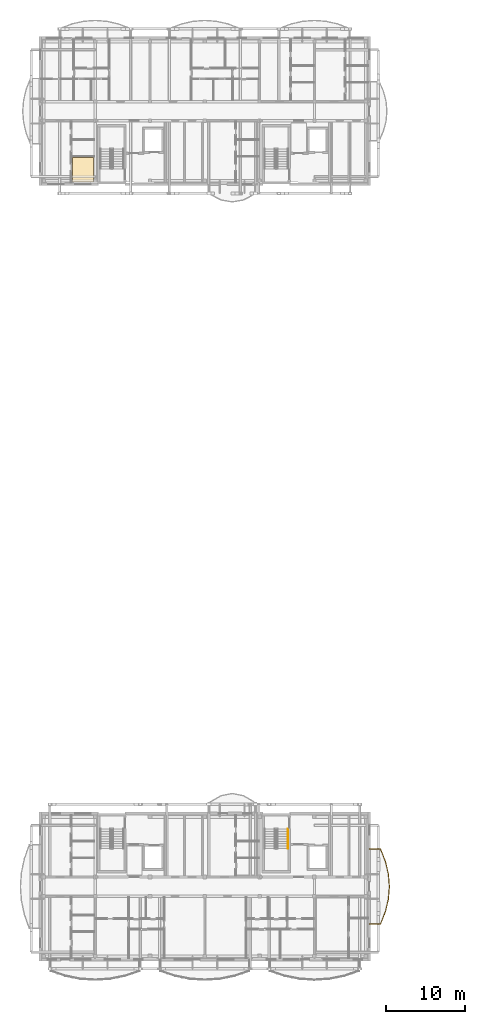
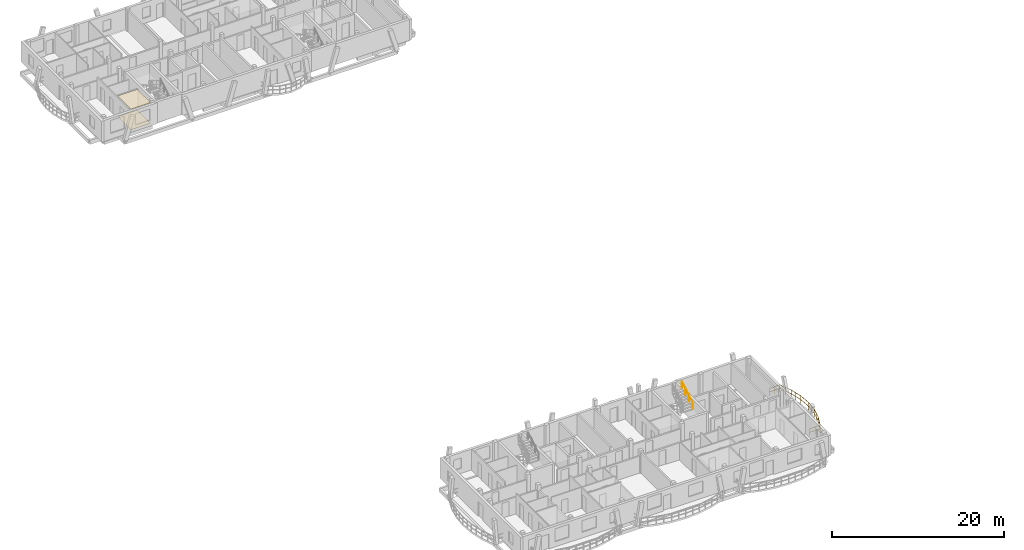
# One storey, part 25 of 29: 2 coverings, 2 railings.
"""IFC4 building model written with IfcOpenShell, lengths in metres."""

import ifcopenshell
import ifcopenshell.guid

model = None  # the IFC model being written
_history = None  # IfcOwnerHistory: only IFC2X3 demands one
_inside = {}  # id of a spatial element -> (the spatial element, [elements in it])
_under = {}  # id of a project, library or spatial element -> (it, [spatial elements below it])
_declared = {}  # id of a project -> (the project, [libraries it declares])
_typed = {}  # id of a type object -> (the type object, [elements of that type])
_made_of = {}  # id of a material, layer set ... -> (it, [elements and type objects made of it])


def new_model(schema):
    """Start an empty IFC model of exactly this schema.

    Asked for "IFC4X3", IfcOpenShell would pick the latest addendum, in which some entities
    have other attributes; the version numbers below select the first issue.
    IFC2X3 requires an IfcOwnerHistory on every rooted entity: one is made here for all.
    """
    global model, _history
    if schema == "IFC4X3":
        model = ifcopenshell.file(schema_version=(4, 3, 0, 0))
    else:
        model = ifcopenshell.file(schema=schema)
    _inside.clear()
    _under.clear()
    _declared.clear()
    _typed.clear()
    _made_of.clear()
    _history = None
    if model.schema == "IFC2X3":
        org = make("IfcOrganization", Name="unknown")
        user = make(
            "IfcPersonAndOrganization",
            ThePerson=make("IfcPerson", FamilyName="unknown"),
            TheOrganization=org,
        )
        app = make(
            "IfcApplication",
            ApplicationDeveloper=org,
            Version="unknown",
            ApplicationFullName="unknown",
            ApplicationIdentifier="unknown",
        )
        _history = make(
            "IfcOwnerHistory",
            OwningUser=user,
            OwningApplication=app,
            ChangeAction="ADDED",
            CreationDate=0,
        )
    return model


def make(cls, **values):
    """One entity of the class cls with the attributes given. An attribute that is None is left unset."""
    return model.create_entity(
        cls, **{name: value for name, value in values.items() if value is not None}
    )


def rooted(cls, **values):
    """An entity with a GlobalId (a new one), such as an element, a storey or a relation."""
    return make(cls, GlobalId=ifcopenshell.guid.new(), OwnerHistory=_history, **values)


def si_unit(unit_type, name, prefix=None):
    """IfcSIUnit, for example si_unit("LENGTHUNIT", "METRE", prefix="MILLI")."""
    return make("IfcSIUnit", UnitType=unit_type, Prefix=prefix, Name=name)


def assignment(units):
    """IfcUnitAssignment: the units of a project."""
    return None if units is None else make("IfcUnitAssignment", Units=units)


def point(xyz):
    """IfcCartesianPoint."""
    return None if xyz is None else make("IfcCartesianPoint", Coordinates=xyz)


def direction(xyz):
    """IfcDirection."""
    return None if xyz is None else make("IfcDirection", DirectionRatios=xyz)


def frame(location, z_axis=None, x_axis=None):
    """IfcAxis2Placement3D, a coordinate frame: its origin and axes. An axis left out is left unset."""
    return make(
        "IfcAxis2Placement3D",
        Location=point(location),
        Axis=direction(z_axis),
        RefDirection=direction(x_axis),
    )


def frame_2d(location, x_axis=None):
    """IfcAxis2Placement2D, a coordinate frame in the plane: its origin and x axis."""
    return make(
        "IfcAxis2Placement2D", Location=point(location), RefDirection=direction(x_axis)
    )


def origin():
    """The frame at (0, 0, 0) with its axes left unset."""
    return frame((0.0, 0.0, 0.0))


def origin_2d():
    """The frame at (0, 0) in the plane with its x axis left unset."""
    return frame_2d((0.0, 0.0))


def place(relative_to, where):
    """IfcLocalPlacement: puts the frame where relative to a parent placement (None: the world)."""
    return make(
        "IfcLocalPlacement", PlacementRelTo=relative_to, RelativePlacement=where
    )


def context(
    kind, dimensions, precision=None, world=None, true_north=None, identifier=None
):
    """IfcGeometricRepresentationContext, for example the 3D "Model" context."""
    return make(
        "IfcGeometricRepresentationContext",
        ContextIdentifier=identifier,
        ContextType=kind,
        CoordinateSpaceDimension=dimensions,
        Precision=precision,
        WorldCoordinateSystem=world,
        TrueNorth=true_north,
    )


def subcontext(parent, identifier, kind, view, scale=None):
    """IfcGeometricRepresentationSubContext, for example "Body" below "Model"."""
    return make(
        "IfcGeometricRepresentationSubContext",
        ContextIdentifier=identifier,
        ContextType=kind,
        ParentContext=parent,
        TargetScale=scale,
        TargetView=view,
    )


def project(units=None, contexts=None):
    """IfcProject with its units and contexts."""
    return rooted(
        "IfcProject",
        Name="project",
        RepresentationContexts=contexts,
        UnitsInContext=assignment(units),
    )


def spatial(cls, under=None, at=None, **own):
    """A site, building, storey or space (cls), placed at a placement, below another one or the project."""
    s = rooted(cls, ObjectPlacement=at, **own)
    if under is not None:
        _under.setdefault(under.id(), (under, []))[1].append(s)
    return s


def polyline(points):
    """IfcPolyline through the points."""
    return make("IfcPolyline", Points=[point(p) for p in points])


def profile(cls, at=None, kind="AREA", **sizes):
    """A parametric profile (cls). Its sizes go by their IFC names, for example OverallWidth=200.0."""
    return make(cls, ProfileType=kind, Position=at, **sizes)


def rectangle(**sizes):
    """IfcRectangleProfileDef."""
    return profile("IfcRectangleProfileDef", **sizes)


def outline(outer, holes=None, kind="AREA"):
    """IfcArbitraryClosedProfileDef: a profile drawn as a closed curve; with holes, ...WithVoids."""
    if holes is None:
        return make("IfcArbitraryClosedProfileDef", ProfileType=kind, OuterCurve=outer)
    return make(
        "IfcArbitraryProfileDefWithVoids",
        ProfileType=kind,
        OuterCurve=outer,
        InnerCurves=holes,
    )


def extrude(swept, where, along, depth):
    """IfcExtrudedAreaSolid: the profile swept, set in the frame where, extruded along a direction by depth."""
    return make(
        "IfcExtrudedAreaSolid",
        SweptArea=swept,
        Position=where,
        ExtrudedDirection=direction(along),
        Depth=depth,
    )


def shape(context_of_items, identifier, shape_type, items):
    """IfcShapeRepresentation: the items that make up one representation, for example the "Body"."""
    return make(
        "IfcShapeRepresentation",
        ContextOfItems=context_of_items,
        RepresentationIdentifier=identifier,
        RepresentationType=shape_type,
        Items=items,
    )


def material(Name=None, Category=None):
    """IfcMaterial."""
    return make("IfcMaterial", Name=Name, Category=Category)


def layer(
    of_material, thickness, ventilated=None, Name=None, Category=None, Priority=None
):
    """IfcMaterialLayer: one layer of a wall or slab, of a material (None: an air gap)."""
    return make(
        "IfcMaterialLayer",
        Material=of_material,
        LayerThickness=thickness,
        IsVentilated=ventilated,
        Name=Name,
        Category=Category,
        Priority=Priority,
    )


def layer_set(layers, Name=None):
    """IfcMaterialLayerSet."""
    return make("IfcMaterialLayerSet", MaterialLayers=layers, LayerSetName=Name)


def made_of(thing, what):
    """Note that an element or type object is made of a material, layer set ...; save() writes the relation."""
    if what is not None:
        _made_of.setdefault(what.id(), (what, []))[1].append(thing)
    return thing


def type_object(cls, material=None, **own):
    """A type object (cls), such as IfcWallType, which elements share."""
    return made_of(rooted(cls, **own), material)


def element(
    cls,
    number,
    at=None,
    inside=None,
    cuts=None,
    type_object=None,
    material=None,
    context=None,
    identifier="Body",
    shape_type=None,
    held_by="IfcProductDefinitionShape",
    body=None,
    shapes=None,
    **own,
):
    """One element of the class cls, such as IfcWall. Its Tag is "e" and its number.

    at: its placement. inside: the storey or other place that contains it. cuts: it is an
    opening in that element (IfcRelVoidsElement). A single representation is given by context,
    identifier, shape_type and body (its items); several are given by shapes. held_by: the class
    of the entity that holds the representations. save() writes the other relations.
    """
    e = rooted(cls, Tag="e%d" % number, ObjectPlacement=at, **own)
    if body is not None:
        shapes = [shape(context, identifier, shape_type, body)]
    if shapes is not None:
        e.Representation = make(held_by, Representations=shapes)
    if inside is not None:
        _inside.setdefault(inside.id(), (inside, []))[1].append(e)
    if cuts is not None:
        rooted(
            "IfcRelVoidsElement", RelatingBuildingElement=cuts, RelatedOpeningElement=e
        )
    if type_object is not None:
        _typed.setdefault(type_object.id(), (type_object, []))[1].append(e)
    return made_of(e, material)


def aggregate(whole, parts):
    """IfcRelAggregates: a whole, such as a stair, and the parts it consists of."""
    return rooted("IfcRelAggregates", RelatingObject=whole, RelatedObjects=parts)


def save(model, path):
    """Write the relations noted so far, then the file.

    IfcRelAggregates (storeys below a building ...), IfcRelContainedInSpatialStructure (elements
    in a storey), IfcRelDefinesByType, IfcRelAssociatesMaterial and IfcRelDeclares: one each for
    every whole, place, type object, material and project.
    """
    for whole, parts in _under.values():
        aggregate(whole, parts)
    for where, things in _inside.values():
        rooted(
            "IfcRelContainedInSpatialStructure",
            RelatedElements=things,
            RelatingStructure=where,
        )
    for kind, things in _typed.values():
        rooted("IfcRelDefinesByType", RelatedObjects=things, RelatingType=kind)
    for what, things in _made_of.values():
        rooted("IfcRelAssociatesMaterial", RelatedObjects=things, RelatingMaterial=what)
    for by, libraries in _declared.values():
        rooted("IfcRelDeclares", RelatingContext=by, RelatedDefinitions=libraries)
    model.write(path)


model = new_model("IFC4")

# Units and contexts
model_context = context("Model", 3, precision=1e-05, world=origin(), true_north=direction((0.0, 1.0)))
body_context = subcontext(model_context, "Body", "Model", "MODEL_VIEW")
ifc_project = project(units=[si_unit("LENGTHUNIT", "METRE"), si_unit("AREAUNIT", "SQUARE_METRE"), si_unit("VOLUMEUNIT", "CUBIC_METRE"), si_unit("PLANEANGLEUNIT", "RADIAN"), si_unit("MASSUNIT", "GRAM", prefix="KILO")], contexts=[model_context])

# Site, building, storey
site_placement = place(None, origin())
site = spatial("IfcSite", under=ifc_project, at=site_placement, CompositionType="ELEMENT")
building_placement = place(site_placement, origin())
building = spatial("IfcBuilding", under=site, at=building_placement, Name="Zavelmont Quarter", CompositionType="ELEMENT")
storey_placement = place(building_placement, frame((0.0, 0.0, 33.60009765625)))
storey = spatial("IfcBuildingStorey", under=building, at=storey_placement, Name="L10", CompositionType="ELEMENT", Elevation=33.60009765625)

# Coverings
ifc_material_1 = material(Name="Perforated acoustic gypsum board")
ifc_layer_1 = layer(ifc_material_1, 0.02490234375)
ifc_layer_set_1 = layer_set([ifc_layer_1], Name="Perforated acoustic gypsum board")
covering_type_1 = type_object("IfcCoveringType", Name="CV-CL01", PredefinedType="CEILING", material=ifc_layer_set_1)
covering_1_placement = place(storey_placement, frame((0.0, 0.0, 2.934814453125)))
element("IfcCovering", 1, at=covering_1_placement, inside=storey, type_object=covering_type_1, Name="L10 Single Bedroom acoustic ceiling", PredefinedType="CEILING", context=body_context, shape_type="SweptSolid", body=[
    extrude(outline(polyline([(4.030029296875, 100.969970703125), (6.669921875, 100.969970703125), (6.669921875, 98.280029296875), (6.659912109375, 98.280029296875), (6.659912109375, 97.8798828125), (4.030029296875, 97.8798828125), (4.030029296875, 100.969970703125)])), origin(), (0.0, 0.0, 1.0), 0.025146484375),
])
ifc_material_2 = material(Name="Engineered European oak parquet")
ifc_layer_2 = layer(ifc_material_2, 0.02197265625)
ifc_layer_set_2 = layer_set([ifc_layer_2], Name="Engineered European oak parquet")
covering_type_2 = type_object("IfcCoveringType", Name="CV-FL01", PredefinedType="FLOORING", material=ifc_layer_set_2)
covering_2_placement = place(storey_placement, origin())
element("IfcCovering", 2, at=covering_2_placement, inside=storey, type_object=covering_type_2, Name="L10 Single Bedroom floor finish", PredefinedType="FLOORING", context=body_context, shape_type="SweptSolid", body=[
    extrude(outline(polyline([(4.030029296875, 100.969970703125), (6.669921875, 100.969970703125), (6.669921875, 98.280029296875), (6.659912109375, 98.280029296875), (6.659912109375, 97.8798828125), (4.030029296875, 97.8798828125), (4.030029296875, 100.969970703125)])), origin(), (0.0, 0.0, 1.0), 0.02197265625),
])

# Railings
ifc_material_3 = material(Name="Powder-coated steel and tempered double safety glass", Category="steel")
railing_type_1 = type_object("IfcRailingType", Name="RL-BAL1", PredefinedType="BALUSTRADE", material=ifc_material_3)
railing_1_placement = place(storey_placement, frame((41.419921875, 4.4765625, 0.0)))
element("IfcRailing", 3, at=railing_1_placement, inside=storey, type_object=railing_type_1, Name="L10 Block A curved balcony guard RL-BAL1", PredefinedType="BALUSTRADE", context=body_context, shape_type="SweptSolid", body=[
    extrude(rectangle(XDim=0.048095703125, YDim=0.048095703125, at=origin_2d()), frame((0.0, 0.0, 1.076171875), z_axis=(1.0, 0.0, 0.0), x_axis=(0.0, 1.0, 0.0)), (0.0, 0.0, 1.0), 1.4013671875),
    extrude(rectangle(XDim=0.048095703125, YDim=0.048095703125, at=origin_2d()), frame((0.0, 0.0, 0.550048828125), z_axis=(1.0, 0.0, 0.0), x_axis=(0.0, 1.0, 0.0)), (0.0, 0.0, 1.0), 1.4013671875),
    extrude(rectangle(XDim=0.048095703125, YDim=0.048095703125, at=origin_2d()), frame((1.4013671875, 0.0, 1.076171875), z_axis=(0.366585068895, 0.930384537309, 0.0), x_axis=(-0.930384537309, 0.366585068895, 0.0)), (0.0, 0.0, 1.0), 1.6923828125),
    extrude(rectangle(XDim=0.048095703125, YDim=0.048095703125, at=origin_2d()), frame((1.4013671875, 0.0, 0.550048828125), z_axis=(0.366585068895, 0.930384537309, 0.0), x_axis=(-0.930384537309, 0.366585068895, 0.0)), (0.0, 0.0, 1.0), 1.6923828125),
    extrude(rectangle(XDim=0.048095703125, YDim=0.048095703125, at=origin_2d()), frame((2.021728515625, 1.574462890625, 1.076171875), z_axis=(0.230124195176, 0.973161268647, 0.0), x_axis=(-0.973161268647, 0.230124195176, 0.0)), (0.0, 0.0, 1.0), 1.617919921875),
    extrude(rectangle(XDim=0.048095703125, YDim=0.048095703125, at=origin_2d()), frame((2.021728515625, 1.574462890625, 0.550048828125), z_axis=(0.230124195176, 0.973161268647, 0.0), x_axis=(-0.973161268647, 0.230124195176, 0.0)), (0.0, 0.0, 1.0), 1.617919921875),
    extrude(rectangle(XDim=0.048095703125, YDim=0.048095703125, at=origin_2d()), frame((2.39404296875, 3.14892578125, 1.076171875), z_axis=(0.078528643779, 0.996911857742, 0.0), x_axis=(-0.996911857742, 0.078528643779, 0.0)), (0.0, 0.0, 1.0), 1.579345703125),
    extrude(rectangle(XDim=0.048095703125, YDim=0.048095703125, at=origin_2d()), frame((2.39404296875, 3.14892578125, 0.550048828125), z_axis=(0.078528643779, 0.996911857742, 0.0), x_axis=(-0.996911857742, 0.078528643779, 0.0)), (0.0, 0.0, 1.0), 1.579345703125),
    extrude(rectangle(XDim=0.048095703125, YDim=0.048095703125, at=origin_2d()), frame((2.51806640625, 4.723388671875, 1.076171875), z_axis=(-0.078528643779, 0.996911857742, 0.0), x_axis=(-0.996911857742, -0.078528643779, 0.0)), (0.0, 0.0, 1.0), 1.579345703125),
    extrude(rectangle(XDim=0.048095703125, YDim=0.048095703125, at=origin_2d()), frame((2.51806640625, 4.723388671875, 0.550048828125), z_axis=(-0.078528643779, 0.996911857742, 0.0), x_axis=(-0.996911857742, -0.078528643779, 0.0)), (0.0, 0.0, 1.0), 1.579345703125),
    extrude(rectangle(XDim=0.048095703125, YDim=0.048095703125, at=origin_2d()), frame((2.39404296875, 6.2978515625, 1.076171875), z_axis=(-0.230124195176, 0.973161268647, 0.0), x_axis=(-0.973161268647, -0.230124195176, 0.0)), (0.0, 0.0, 1.0), 1.617919921875),
    extrude(rectangle(XDim=0.048095703125, YDim=0.048095703125, at=origin_2d()), frame((2.39404296875, 6.2978515625, 0.550048828125), z_axis=(-0.230124195176, 0.973161268647, 0.0), x_axis=(-0.973161268647, -0.230124195176, 0.0)), (0.0, 0.0, 1.0), 1.617919921875),
    extrude(rectangle(XDim=0.048095703125, YDim=0.048095703125, at=origin_2d()), frame((2.021728515625, 7.872314453125, 1.076171875), z_axis=(-0.366585068895, 0.930384537309, 0.0), x_axis=(-0.930384537309, -0.366585068895, 0.0)), (0.0, 0.0, 1.0), 1.6923828125),
    extrude(rectangle(XDim=0.048095703125, YDim=0.048095703125, at=origin_2d()), frame((2.021728515625, 7.872314453125, 0.550048828125), z_axis=(-0.366585068895, 0.930384537309, 0.0), x_axis=(-0.930384537309, -0.366585068895, 0.0)), (0.0, 0.0, 1.0), 1.6923828125),
    extrude(rectangle(XDim=0.048095703125, YDim=0.048095703125, at=origin_2d()), frame((1.4013671875, 9.44677734375, 1.076171875), z_axis=(-1.0, 0.0, 0.0), x_axis=(0.0, -1.0, 0.0)), (0.0, 0.0, 1.0), 1.4013671875),
    extrude(rectangle(XDim=0.048095703125, YDim=0.048095703125, at=origin_2d()), frame((1.4013671875, 9.44677734375, 0.550048828125), z_axis=(-1.0, 0.0, 0.0), x_axis=(0.0, -1.0, 0.0)), (0.0, 0.0, 1.0), 1.4013671875),
    extrude(rectangle(XDim=0.0419921875, YDim=0.0419921875, at=origin_2d()), origin(), (0.0, 0.0, 1.0), 1.052001953125),
    extrude(rectangle(XDim=0.0419921875, YDim=0.0419921875, at=origin_2d()), frame((0.70068359375, 0.0, 0.0)), (0.0, 0.0, 1.0), 1.052001953125),
    extrude(rectangle(XDim=0.0419921875, YDim=0.0419921875, at=origin_2d()), frame((1.4013671875, 0.0, 0.0)), (0.0, 0.0, 1.0), 1.052001953125),
    extrude(rectangle(XDim=0.0419921875, YDim=0.0419921875, at=origin_2d()), frame((1.71142578125, 0.787109375, 0.0)), (0.0, 0.0, 1.0), 1.052001953125),
    extrude(rectangle(XDim=0.0419921875, YDim=0.0419921875, at=origin_2d()), frame((2.021728515625, 1.574462890625, 0.0)), (0.0, 0.0, 1.0), 1.052001953125),
    extrude(rectangle(XDim=0.0419921875, YDim=0.0419921875, at=origin_2d()), frame((2.2080078125, 2.36181640625, 0.0)), (0.0, 0.0, 1.0), 1.052001953125),
    extrude(rectangle(XDim=0.0419921875, YDim=0.0419921875, at=origin_2d()), frame((2.39404296875, 3.14892578125, 0.0)), (0.0, 0.0, 1.0), 1.052001953125),
    extrude(rectangle(XDim=0.0419921875, YDim=0.0419921875, at=origin_2d()), frame((2.4560546875, 3.93603515625, 0.0)), (0.0, 0.0, 1.0), 1.052001953125),
    extrude(rectangle(XDim=0.0419921875, YDim=0.0419921875, at=origin_2d()), frame((2.51806640625, 4.723388671875, 0.0)), (0.0, 0.0, 1.0), 1.052001953125),
    extrude(rectangle(XDim=0.0419921875, YDim=0.0419921875, at=origin_2d()), frame((2.4560546875, 5.5107421875, 0.0)), (0.0, 0.0, 1.0), 1.052001953125),
    extrude(rectangle(XDim=0.0419921875, YDim=0.0419921875, at=origin_2d()), frame((2.39404296875, 6.2978515625, 0.0)), (0.0, 0.0, 1.0), 1.052001953125),
    extrude(rectangle(XDim=0.0419921875, YDim=0.0419921875, at=origin_2d()), frame((2.2080078125, 7.0849609375, 0.0)), (0.0, 0.0, 1.0), 1.052001953125),
    extrude(rectangle(XDim=0.0419921875, YDim=0.0419921875, at=origin_2d()), frame((2.021728515625, 7.872314453125, 0.0)), (0.0, 0.0, 1.0), 1.052001953125),
    extrude(rectangle(XDim=0.0419921875, YDim=0.0419921875, at=origin_2d()), frame((1.71142578125, 8.65966796875, 0.0)), (0.0, 0.0, 1.0), 1.052001953125),
    extrude(rectangle(XDim=0.0419921875, YDim=0.0419921875, at=origin_2d()), frame((1.4013671875, 9.44677734375, 0.0)), (0.0, 0.0, 1.0), 1.052001953125),
    extrude(rectangle(XDim=0.0419921875, YDim=0.0419921875, at=origin_2d()), frame((0.70068359375, 9.44677734375, 0.0)), (0.0, 0.0, 1.0), 1.052001953125),
    extrude(rectangle(XDim=0.0419921875, YDim=0.0419921875, at=origin_2d()), frame((0.0, 9.44677734375, 0.0)), (0.0, 0.0, 1.0), 1.052001953125),
])
ifc_material_4 = material(Name="Brushed stainless-steel wall handrail", Category="steel")
railing_type_2 = type_object("IfcRailingType", Name="RL-HND1", PredefinedType="HANDRAIL", material=ifc_material_4)
railing_2_placement = place(storey_placement, frame((31.14990234375, 13.969970703125, 1.777587890625)))
element("IfcRailing", 4, at=railing_2_placement, inside=storey, type_object=railing_type_2, Name="L10 ST02 stair handrail 2", PredefinedType="HANDRAIL", context=body_context, shape_type="SweptSolid", body=[
    extrude(rectangle(XDim=0.048095703125, YDim=0.048095703125, at=origin_2d()), frame((0.0, 0.0, 0.8759765625), z_axis=(0.0, 0.867453774394, 0.497517787913), x_axis=(-1.0, 0.0, 0.0)), (0.0, 0.0, 1.0), 2.85888671875),
    extrude(rectangle(XDim=0.0419921875, YDim=0.0419921875, at=origin_2d()), origin(), (0.0, 0.0, 1.0), 0.851806640625),
    extrude(rectangle(XDim=0.0419921875, YDim=0.0419921875, at=origin_2d()), frame((0.0, 0.82666015625, 0.47412109375)), (0.0, 0.0, 1.0), 0.851806640625),
    extrude(rectangle(XDim=0.0419921875, YDim=0.0419921875, at=origin_2d()), frame((0.0, 1.6533203125, 0.9482421875)), (0.0, 0.0, 1.0), 0.851806640625),
    extrude(rectangle(XDim=0.0419921875, YDim=0.0419921875, at=origin_2d()), frame((0.0, 2.47998046875, 1.42236328125)), (0.0, 0.0, 1.0), 0.851806640625),
])

save(model, "model.ifc")
